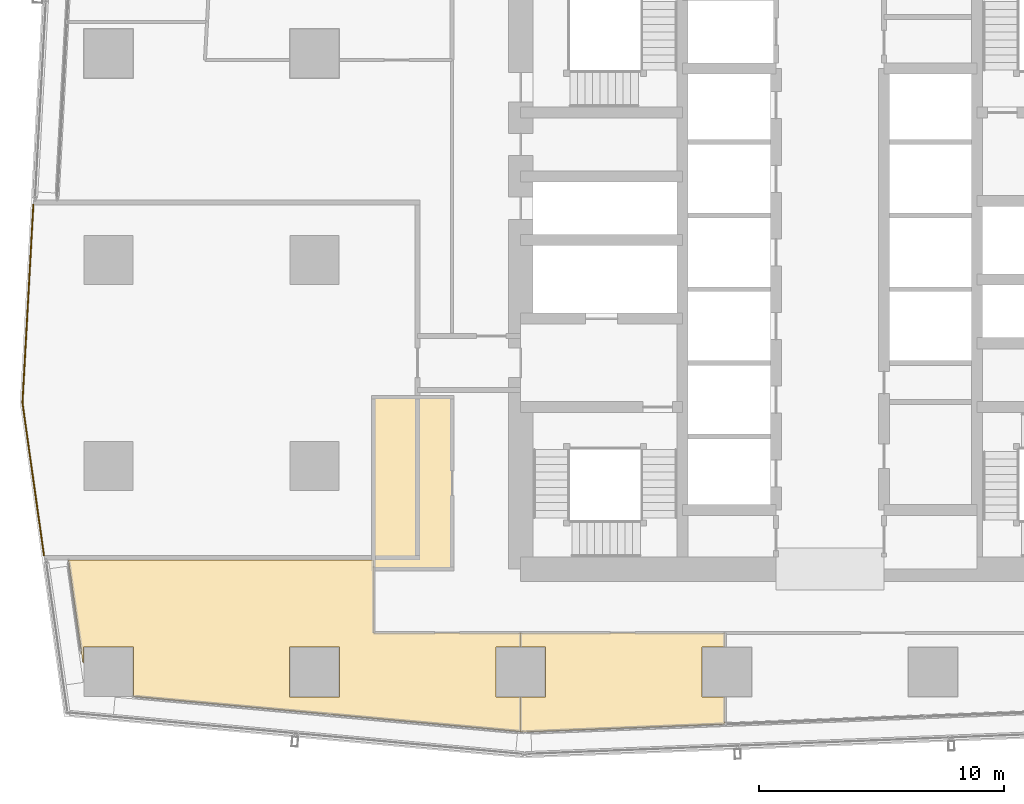
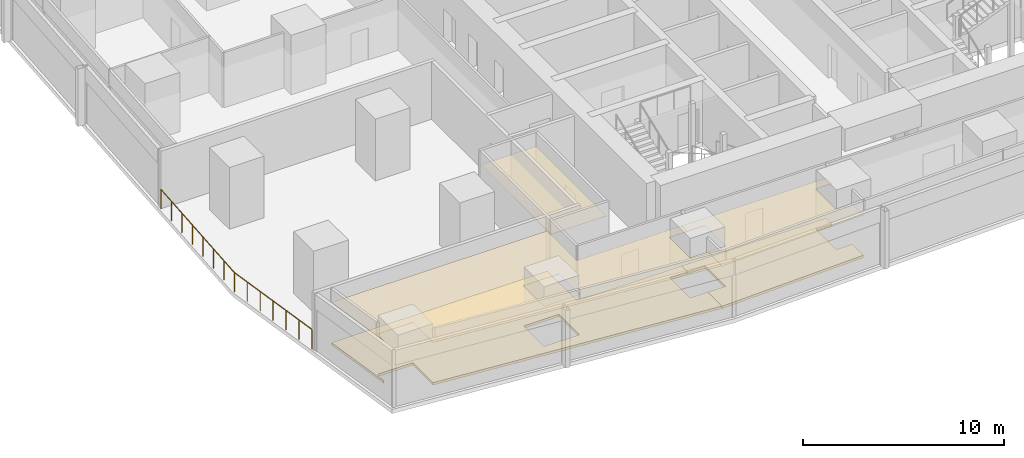
# One storey, part 30 of 36: 5 coverings, 1 railing.
"""IFC4 building model written with IfcOpenShell, lengths in metres."""

from ifc_helpers import new_model, si_unit, direction, frame, origin, origin_2d, place, context, subcontext, project, spatial, polyline, circle, outline, extrude, material, layer, layer_set, type_object, element, save


model = new_model("IFC4")

# Units and contexts
model_context = context("Model", 3, precision=1e-05, world=origin(), true_north=direction((0.0, 1.0)))
body_context = subcontext(model_context, "Body", "Model", "MODEL_VIEW")
ifc_project = project(units=[si_unit("LENGTHUNIT", "METRE"), si_unit("AREAUNIT", "SQUARE_METRE"), si_unit("VOLUMEUNIT", "CUBIC_METRE"), si_unit("PLANEANGLEUNIT", "RADIAN"), si_unit("MASSUNIT", "GRAM", prefix="KILO")], contexts=[model_context])

# Site, building, storey
site_placement = place(None, origin())
site = spatial("IfcSite", under=ifc_project, at=site_placement, CompositionType="ELEMENT")
building_placement = place(site_placement, origin())
building = spatial("IfcBuilding", under=site, at=building_placement, Name="Rekha Terrace Tower", CompositionType="ELEMENT")
storey_placement = place(building_placement, frame((0.0, 0.0, 144.050048828125)))
storey = spatial("IfcBuildingStorey", under=building, at=storey_placement, Name="L36", CompositionType="ELEMENT", Elevation=144.050048828125)

# Coverings
ifc_material_1 = material(Name="Mineral fibre tile in exposed grid", Category="finish")
ifc_layer_1 = layer(ifc_material_1, 0.02001953125)
ifc_layer_set_1 = layer_set([ifc_layer_1], Name="Mineral fibre tile in exposed grid")
covering_type_1 = type_object("IfcCoveringType", Name="CL1 600x1200 office grid ceiling", PredefinedType="CEILING", material=ifc_layer_set_1)
covering_1_placement = place(storey_placement, frame((0.0, 0.0, 2.579833984375)))
element("IfcCovering", 1, at=covering_1_placement, inside=storey, type_object=covering_type_1, Name="Ceiling L36-10", PredefinedType="CEILING", context=body_context, shape_type="SweptSolid", body=[
    extrude(outline(polyline([(19.199951171875, 18.39990234375), (19.199951171875, 21.360107421875), (6.77392578125, 21.360107421875), (7.364990234375, 17.162109375), (7.385009765625, 17.1630859375), (7.385009765625, 17.81494140625), (9.4150390625, 17.81494140625), (9.4150390625, 15.80908203125), (25.200927734375, 14.375), (25.200927734375, 15.784912109375), (24.18505859375, 15.784912109375), (24.18505859375, 17.81494140625), (25.200927734375, 17.81494140625), (25.200927734375, 18.39990234375), (19.199951171875, 18.39990234375)]), holes=[polyline([(17.81494140625, 15.784912109375), (15.784912109375, 15.784912109375), (15.784912109375, 17.81494140625), (17.81494140625, 17.81494140625), (17.81494140625, 15.784912109375)])]), origin(), (0.0, 0.0, 1.0), 0.02001953125),
])
covering_2_placement = place(storey_placement, frame((0.0, 0.0, 2.579833984375)))
element("IfcCovering", 2, at=covering_2_placement, inside=storey, type_object=covering_type_1, Name="Ceiling L36-11", PredefinedType="CEILING", context=body_context, shape_type="SweptSolid", body=[
    extrude(outline(polyline([(32.5849609375, 17.81494140625), (33.512939453125, 17.81494140625), (33.512939453125, 18.39990234375), (25.201904296875, 18.39990234375), (25.201904296875, 17.81494140625), (26.215087890625, 17.81494140625), (26.215087890625, 15.784912109375), (25.201904296875, 15.784912109375), (25.201904296875, 14.35595703125), (32.344970703125, 14.634033203125), (33.512939453125, 14.679931640625), (33.512939453125, 15.784912109375), (32.5849609375, 15.784912109375), (32.5849609375, 17.81494140625)])), origin(), (0.0, 0.0, 1.0), 0.02001953125),
])
ifc_material_2 = material(Name="Fibre cement board", Category="finish")
ifc_layer_2 = layer(ifc_material_2, 0.014892578125)
ifc_layer_set_2 = layer_set([ifc_layer_2], Name="Fibre cement board")
covering_type_2 = type_object("IfcCoveringType", Name="CL2 moisture-resistant board ceiling", PredefinedType="CEILING", material=ifc_layer_set_2)
covering_3_placement = place(storey_placement, frame((0.0, 0.0, 2.5849609375)))
element("IfcCovering", 3, at=covering_3_placement, inside=storey, type_object=covering_type_2, Name="Ceiling L36-WCM", PredefinedType="CEILING", context=body_context, shape_type="SweptSolid", body=[
    extrude(outline(polyline([(22.39990234375, 28.0), (19.199951171875, 28.0), (19.199951171875, 21.0), (22.39990234375, 21.0), (22.39990234375, 28.0)])), origin(), (0.0, 0.0, 1.0), 0.014892578125),
])

# Railing
ifc_material_3 = material(Name="Steel guard with vertical balusters", Category="steel")
railing_type = type_object("IfcRailingType", Name="GR2 refuge area guard 1200", PredefinedType="GUARDRAIL", material=ifc_material_3)
railing_placement = place(storey_placement, frame((5.77587890625, 21.56103515625, 0.0)))
element("IfcRailing", 4, at=railing_placement, inside=storey, type_object=railing_type, Name="Refuge area guard L36", PredefinedType="GUARDRAIL", context=body_context, shape_type="SweptSolid", body=[
    extrude(circle(Radius=0.02392578125, at=origin_2d()), frame((0.0, 0.0, 1.17578125), z_axis=(-0.13965558579, 0.990200140051, 0.0), x_axis=(-0.990200140051, -0.13965558579, 0.0)), (0.0, 0.0, 1.0), 6.2724609375),
    extrude(circle(Radius=0.02392578125, at=origin_2d()), frame((-0.8759765625, 6.2109375, 1.17578125), z_axis=(0.054819285843, 0.998496292382, 0.0), x_axis=(-0.998496292382, 0.054819285843, 0.0)), (0.0, 0.0, 1.0), 8.083251953125),
    extrude(circle(Radius=0.02099609375, at=origin_2d()), origin(), (0.0, 0.0, 1.0), 1.15185546875),
    extrude(circle(Radius=0.02099609375, at=origin_2d()), frame((-0.14599609375, 1.03515625, 0.0)), (0.0, 0.0, 1.0), 1.15185546875),
    extrude(circle(Radius=0.02099609375, at=origin_2d()), frame((-0.2919921875, 2.0703125, 0.0)), (0.0, 0.0, 1.0), 1.15185546875),
    extrude(circle(Radius=0.02099609375, at=origin_2d()), frame((-0.43798828125, 3.10546875, 0.0)), (0.0, 0.0, 1.0), 1.15185546875),
    extrude(circle(Radius=0.02099609375, at=origin_2d()), frame((-0.583984375, 4.140625, 0.0)), (0.0, 0.0, 1.0), 1.15185546875),
    extrude(circle(Radius=0.02099609375, at=origin_2d()), frame((-0.72998046875, 5.17578125, 0.0)), (0.0, 0.0, 1.0), 1.15185546875),
    extrude(circle(Radius=0.02099609375, at=origin_2d()), frame((-0.8759765625, 6.2109375, 0.0)), (0.0, 0.0, 1.0), 1.15185546875),
    extrude(circle(Radius=0.02099609375, at=origin_2d()), frame((-0.812744140625, 7.364013671875, 0.0)), (0.0, 0.0, 1.0), 1.15185546875),
    extrude(circle(Radius=0.02099609375, at=origin_2d()), frame((-0.749267578125, 8.516845703125, 0.0)), (0.0, 0.0, 1.0), 1.15185546875),
    extrude(circle(Radius=0.02099609375, at=origin_2d()), frame((-0.68603515625, 9.669921875, 0.0)), (0.0, 0.0, 1.0), 1.15185546875),
    extrude(circle(Radius=0.02099609375, at=origin_2d()), frame((-0.622802734375, 10.822998046875, 0.0)), (0.0, 0.0, 1.0), 1.15185546875),
    extrude(circle(Radius=0.02099609375, at=origin_2d()), frame((-0.5595703125, 11.97607421875, 0.0)), (0.0, 0.0, 1.0), 1.15185546875),
    extrude(circle(Radius=0.02099609375, at=origin_2d()), frame((-0.49609375, 13.12890625, 0.0)), (0.0, 0.0, 1.0), 1.15185546875),
    extrude(circle(Radius=0.02099609375, at=origin_2d()), frame((-0.432861328125, 14.281982421875, 0.0)), (0.0, 0.0, 1.0), 1.15185546875),
])

# Coverings
ifc_material_4 = material(Name="Calcium sulphate panels on steel pedestals", Category="steel")
ifc_layer_3 = layer(ifc_material_4, 0.14990234375)
ifc_layer_set_3 = layer_set([ifc_layer_3], Name="Calcium sulphate panels on steel pedestals")
covering_type_3 = type_object("IfcCoveringType", Name="RF1 150 raised access floor", PredefinedType="FLOORING", material=ifc_layer_set_3)
covering_4_placement = place(storey_placement, origin())
element("IfcCovering", 5, at=covering_4_placement, inside=storey, type_object=covering_type_3, Name="Raised floor L36-10", PredefinedType="FLOORING", context=body_context, shape_type="SweptSolid", body=[
    extrude(outline(polyline([(19.199951171875, 18.39990234375), (19.199951171875, 21.360107421875), (6.77392578125, 21.360107421875), (7.364990234375, 17.162109375), (7.385009765625, 17.1630859375), (7.385009765625, 17.81494140625), (9.4150390625, 17.81494140625), (9.4150390625, 15.80908203125), (25.200927734375, 14.375), (25.200927734375, 15.784912109375), (24.18505859375, 15.784912109375), (24.18505859375, 17.81494140625), (25.200927734375, 17.81494140625), (25.200927734375, 18.39990234375), (19.199951171875, 18.39990234375)]), holes=[polyline([(17.81494140625, 15.784912109375), (15.784912109375, 15.784912109375), (15.784912109375, 17.81494140625), (17.81494140625, 17.81494140625), (17.81494140625, 15.784912109375)])]), origin(), (0.0, 0.0, 1.0), 0.14990234375),
])
covering_5_placement = place(storey_placement, origin())
element("IfcCovering", 6, at=covering_5_placement, inside=storey, type_object=covering_type_3, Name="Raised floor L36-11", PredefinedType="FLOORING", context=body_context, shape_type="SweptSolid", body=[
    extrude(outline(polyline([(32.5849609375, 17.81494140625), (33.512939453125, 17.81494140625), (33.512939453125, 18.39990234375), (25.201904296875, 18.39990234375), (25.201904296875, 17.81494140625), (26.215087890625, 17.81494140625), (26.215087890625, 15.784912109375), (25.201904296875, 15.784912109375), (25.201904296875, 14.35595703125), (32.344970703125, 14.634033203125), (33.512939453125, 14.679931640625), (33.512939453125, 15.784912109375), (32.5849609375, 15.784912109375), (32.5849609375, 17.81494140625)])), origin(), (0.0, 0.0, 1.0), 0.14990234375),
])

save(model, "model.ifc")
